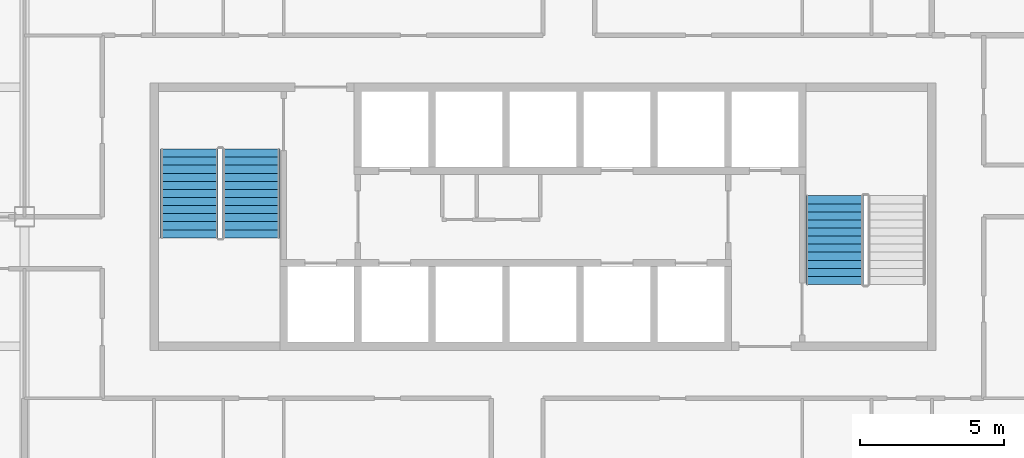
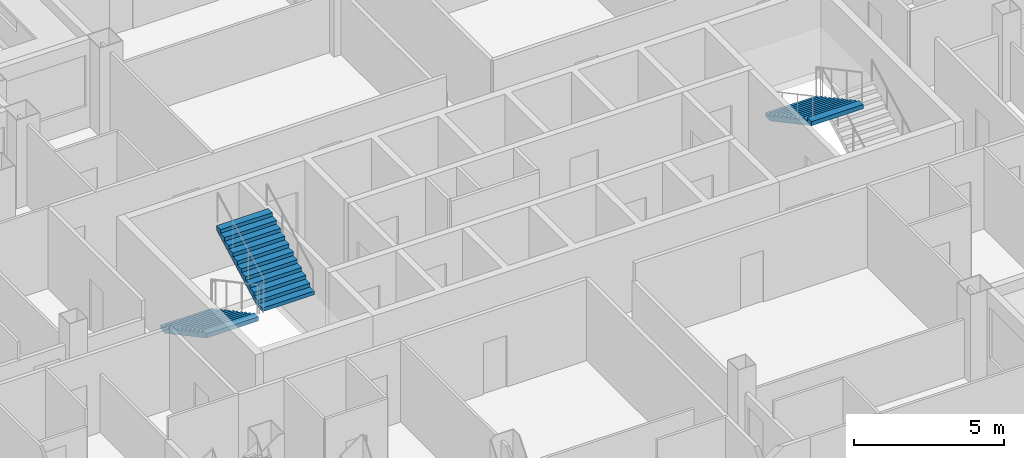
# One storey, part 10 of 14: 3 stair flights, 2 elements without a shape of their own.
"""IFC4 building model written with IfcOpenShell, lengths in metres."""

from ifc_helpers import new_model, si_unit, direction, frame, origin, place, context, subcontext, project, spatial, polygons, material, type_object, element, aggregate, save


model = new_model("IFC4")

# Units and contexts
model_context = context("Model", 3, precision=1e-05, world=origin(), true_north=direction((0.0, 1.0)))
body_context = subcontext(model_context, "Body", "Model", "MODEL_VIEW")
ifc_project = project(units=[si_unit("LENGTHUNIT", "METRE"), si_unit("AREAUNIT", "SQUARE_METRE"), si_unit("VOLUMEUNIT", "CUBIC_METRE"), si_unit("PLANEANGLEUNIT", "RADIAN"), si_unit("MASSUNIT", "GRAM", prefix="KILO")], contexts=[model_context])

# Site, building, storey
site_placement = place(None, origin())
site = spatial("IfcSite", under=ifc_project, at=site_placement, CompositionType="ELEMENT")
building_placement = place(site_placement, origin())
building = spatial("IfcBuilding", under=site, at=building_placement, Name="Caravel Reach Hotel and Residences", CompositionType="ELEMENT")
storey_placement = place(building_placement, frame((0.0, 0.0, 118.800048828125)))
storey = spatial("IfcBuildingStorey", under=building, at=storey_placement, Name="L29", CompositionType="ELEMENT", Elevation=118.800048828125)

# Stair, stair flights
ifc_material_1 = material(Name="Concrete C40", Category="concrete")
stair_type = type_object("IfcStairType", Name="Core stair", PredefinedType="HALF_TURN_STAIR", material=ifc_material_1)
stair_1_placement = place(storey_placement, origin())
stair_1 = element("IfcStair", 1, at=stair_1_placement, inside=storey, type_object=stair_type, Name="L29 Exit stair A", PredefinedType="HALF_TURN_STAIR")
ifc_material_2 = material(Name="Concrete C40", Category="concrete")
stair_flight_type = type_object("IfcStairFlightType", Name="Core stair flight", PredefinedType="STRAIGHT", material=ifc_material_2)
stair_flight_1_placement = place(storey_placement, frame((19.22509765625, 29.35009765625, 0.0), z_axis=(0.0, 0.0, 1.0), x_axis=(0.0, -1.0, 0.0)))
stair_flight_1 = element("IfcStairFlight", 2, at=stair_flight_1_placement, type_object=stair_flight_type, Name="ST-A flight 1", NumberOfRisers=12, NumberOfTreads=11, PredefinedType="STRAIGHT", RiserHeight=0.15, TreadLength=0.28, context=body_context, shape_type="Tessellation", body=[
    polygons([(0.3174408016601862, 1.0, 0.0), (0.3174408016601862, 0.6666666666666667, 0.0), (0.3174408016601862, 0.33333333333333337, 0.0), (0.3174408016601862, 0.0, 0.0), (0.3174408016601862, -0.33333333333333326, 0.0), (0.3174408016601862, -0.6666666666666667, 0.0), (0.3174408016601862, -1.0, 0.0), (3.081, 1.0, 1.479942427682043), (3.081, 0.6666666666666667, 1.479942427682043), (3.081, 0.33333333333333337, 1.479942427682043), (3.081, 0.0, 1.479942427682043), (3.081, -0.33333333333333326, 1.479942427682043), (3.081, -0.6666666666666667, 1.479942427682043), (3.081, -1.0, 1.479942427682043), (3.081, 1.0, 1.65), (3.081, 0.6666666666666667, 1.65), (3.081, 0.33333333333333337, 1.65), (3.081, 0.0, 1.65), (3.081, -0.33333333333333326, 1.65), (3.081, -0.6666666666666667, 1.65), (3.081, -1.0, 1.65), (2.8000000000000003, 1.0, 1.65), (2.8000000000000003, 0.6666666666666667, 1.65), (2.8000000000000003, 0.33333333333333337, 1.65), (2.8000000000000003, 0.0, 1.65), (2.8000000000000003, -0.33333333333333326, 1.65), (2.8000000000000003, -0.6666666666666667, 1.65), (2.8000000000000003, -1.0, 1.65), (2.8000000000000003, 1.0, 1.5), (2.8000000000000003, 0.6666666666666667, 1.5), (2.8000000000000003, 0.33333333333333337, 1.5), (2.8000000000000003, 0.0, 1.5), (2.8000000000000003, -0.33333333333333326, 1.5), (2.8000000000000003, -0.6666666666666667, 1.5), (2.8000000000000003, -1.0, 1.5), (2.5200000000000005, 1.0, 1.5), (2.5200000000000005, 0.6666666666666667, 1.5), (2.5200000000000005, 0.33333333333333337, 1.5), (2.5200000000000005, 0.0, 1.5), (2.5200000000000005, -0.33333333333333326, 1.5), (2.5200000000000005, -0.6666666666666667, 1.5), (2.5200000000000005, -1.0, 1.5), (2.5200000000000005, 1.0, 1.3499999999999999), (2.5200000000000005, 0.6666666666666667, 1.3499999999999999), (2.5200000000000005, 0.33333333333333337, 1.3499999999999999), (2.5200000000000005, 0.0, 1.3499999999999999), (2.5200000000000005, -0.33333333333333326, 1.3499999999999999), (2.5200000000000005, -0.6666666666666667, 1.3499999999999999), (2.5200000000000005, -1.0, 1.3499999999999999), (2.24, 1.0, 1.3499999999999999), (2.24, 0.6666666666666667, 1.3499999999999999), (2.24, 0.33333333333333337, 1.3499999999999999), (2.24, 0.0, 1.3499999999999999), (2.24, -0.33333333333333326, 1.3499999999999999), (2.24, -0.6666666666666667, 1.3499999999999999), (2.24, -1.0, 1.3499999999999999), (2.24, 1.0, 1.2), (2.24, 0.6666666666666667, 1.2), (2.24, 0.33333333333333337, 1.2), (2.24, 0.0, 1.2), (2.24, -0.33333333333333326, 1.2), (2.24, -0.6666666666666667, 1.2), (2.24, -1.0, 1.2), (1.9600000000000002, 1.0, 1.2), (1.9600000000000002, 0.6666666666666667, 1.2), (1.9600000000000002, 0.33333333333333337, 1.2), (1.9600000000000002, 0.0, 1.2), (1.9600000000000002, -0.33333333333333326, 1.2), (1.9600000000000002, -0.6666666666666667, 1.2), (1.9600000000000002, -1.0, 1.2), (1.9600000000000002, 1.0, 1.05), (1.9600000000000002, 0.6666666666666667, 1.05), (1.9600000000000002, 0.33333333333333337, 1.05), (1.9600000000000002, 0.0, 1.05), (1.9600000000000002, -0.33333333333333326, 1.05), (1.9600000000000002, -0.6666666666666667, 1.05), (1.9600000000000002, -1.0, 1.05), (1.6800000000000002, 1.0, 1.05), (1.6800000000000002, 0.6666666666666667, 1.05), (1.6800000000000002, 0.33333333333333337, 1.05), (1.6800000000000002, 0.0, 1.05), (1.6800000000000002, -0.33333333333333326, 1.05), (1.6800000000000002, -0.6666666666666667, 1.05), (1.6800000000000002, -1.0, 1.05), (1.6800000000000002, 1.0, 0.8999999999999999), (1.6800000000000002, 0.6666666666666667, 0.8999999999999999), (1.6800000000000002, 0.33333333333333337, 0.8999999999999999), (1.6800000000000002, 0.0, 0.8999999999999999), (1.6800000000000002, -0.33333333333333326, 0.8999999999999999), (1.6800000000000002, -0.6666666666666667, 0.8999999999999999), (1.6800000000000002, -1.0, 0.8999999999999999), (1.4000000000000001, 1.0, 0.8999999999999999), (1.4000000000000001, 0.6666666666666667, 0.8999999999999999), (1.4000000000000001, 0.33333333333333337, 0.8999999999999999), (1.4000000000000001, 0.0, 0.8999999999999999), (1.4000000000000001, -0.33333333333333326, 0.8999999999999999), (1.4000000000000001, -0.6666666666666667, 0.8999999999999999), (1.4000000000000001, -1.0, 0.8999999999999999), (1.4000000000000001, 1.0, 0.75), (1.4000000000000001, 0.6666666666666667, 0.75), (1.4000000000000001, 0.33333333333333337, 0.75), (1.4000000000000001, 0.0, 0.75), (1.4000000000000001, -0.33333333333333326, 0.75), (1.4000000000000001, -0.6666666666666667, 0.75), (1.4000000000000001, -1.0, 0.75), (1.12, 1.0, 0.75), (1.12, 0.6666666666666667, 0.75), (1.12, 0.33333333333333337, 0.75), (1.12, 0.0, 0.75), (1.12, -0.33333333333333326, 0.75), (1.12, -0.6666666666666667, 0.75), (1.12, -1.0, 0.75), (1.12, 1.0, 0.6), (1.12, 0.6666666666666667, 0.6), (1.12, 0.33333333333333337, 0.6), (1.12, 0.0, 0.6), (1.12, -0.33333333333333326, 0.6), (1.12, -0.6666666666666667, 0.6), (1.12, -1.0, 0.6), (0.8400000000000001, 1.0, 0.6), (0.8400000000000001, 0.6666666666666667, 0.6), (0.8400000000000001, 0.33333333333333337, 0.6), (0.8400000000000001, 0.0, 0.6), (0.8400000000000001, -0.33333333333333326, 0.6), (0.8400000000000001, -0.6666666666666667, 0.6), (0.8400000000000001, -1.0, 0.6), (0.8400000000000001, 1.0, 0.44999999999999996), (0.8400000000000001, 0.6666666666666667, 0.44999999999999996), (0.8400000000000001, 0.33333333333333337, 0.44999999999999996), (0.8400000000000001, 0.0, 0.44999999999999996), (0.8400000000000001, -0.33333333333333326, 0.44999999999999996), (0.8400000000000001, -0.6666666666666667, 0.44999999999999996), (0.8400000000000001, -1.0, 0.44999999999999996), (0.56, 1.0, 0.44999999999999996), (0.56, 0.6666666666666667, 0.44999999999999996), (0.56, 0.33333333333333337, 0.44999999999999996), (0.56, 0.0, 0.44999999999999996), (0.56, -0.33333333333333326, 0.44999999999999996), (0.56, -0.6666666666666667, 0.44999999999999996), (0.56, -1.0, 0.44999999999999996), (0.56, 1.0, 0.3), (0.56, 0.6666666666666667, 0.3), (0.56, 0.33333333333333337, 0.3), (0.56, 0.0, 0.3), (0.56, -0.33333333333333326, 0.3), (0.56, -0.6666666666666667, 0.3), (0.56, -1.0, 0.3), (0.28, 1.0, 0.3), (0.28, 0.6666666666666667, 0.3), (0.28, 0.33333333333333337, 0.3), (0.28, 0.0, 0.3), (0.28, -0.33333333333333326, 0.3), (0.28, -0.6666666666666667, 0.3), (0.28, -1.0, 0.3), (0.28, 1.0, 0.15), (0.28, 0.6666666666666667, 0.15), (0.28, 0.33333333333333337, 0.15), (0.28, 0.0, 0.15), (0.28, -0.33333333333333326, 0.15), (0.28, -0.6666666666666667, 0.15), (0.28, -1.0, 0.15), (-0.001, 1.0, 0.15), (-0.001, 0.6666666666666667, 0.15), (-0.001, 0.33333333333333337, 0.15), (-0.001, 0.0, 0.15), (-0.001, -0.33333333333333326, 0.15), (-0.001, -0.6666666666666667, 0.15), (-0.001, -1.0, 0.15), (-0.001, 1.0, 0.0), (-0.001, 0.6666666666666667, 0.0), (-0.001, 0.33333333333333337, 0.0), (-0.001, 0.0, 0.0), (-0.001, -0.33333333333333326, 0.0), (-0.001, -0.6666666666666667, 0.0), (-0.001, -1.0, 0.0)], [[[169, 162, 155, 148, 141, 134, 127, 120, 113, 106, 99, 92, 85, 78, 71, 64, 57, 50, 43, 36, 29, 22, 15, 8, 1]], [[7, 14, 21, 28, 35, 42, 49, 56, 63, 70, 77, 84, 91, 98, 105, 112, 119, 126, 133, 140, 147, 154, 161, 168, 175]], [[1, 8, 9, 2]], [[2, 9, 10, 3]], [[3, 10, 11, 4]], [[4, 11, 12, 5]], [[5, 12, 13, 6]], [[6, 13, 14, 7]], [[8, 15, 16, 9]], [[9, 16, 17, 10]], [[10, 17, 18, 11]], [[11, 18, 19, 12]], [[12, 19, 20, 13]], [[13, 20, 21, 14]], [[15, 22, 23, 16]], [[16, 23, 24, 17]], [[17, 24, 25, 18]], [[18, 25, 26, 19]], [[19, 26, 27, 20]], [[20, 27, 28, 21]], [[22, 29, 30, 23]], [[23, 30, 31, 24]], [[24, 31, 32, 25]], [[25, 32, 33, 26]], [[26, 33, 34, 27]], [[27, 34, 35, 28]], [[29, 36, 37, 30]], [[30, 37, 38, 31]], [[31, 38, 39, 32]], [[32, 39, 40, 33]], [[33, 40, 41, 34]], [[34, 41, 42, 35]], [[36, 43, 44, 37]], [[37, 44, 45, 38]], [[38, 45, 46, 39]], [[39, 46, 47, 40]], [[40, 47, 48, 41]], [[41, 48, 49, 42]], [[43, 50, 51, 44]], [[44, 51, 52, 45]], [[45, 52, 53, 46]], [[46, 53, 54, 47]], [[47, 54, 55, 48]], [[48, 55, 56, 49]], [[50, 57, 58, 51]], [[51, 58, 59, 52]], [[52, 59, 60, 53]], [[53, 60, 61, 54]], [[54, 61, 62, 55]], [[55, 62, 63, 56]], [[57, 64, 65, 58]], [[58, 65, 66, 59]], [[59, 66, 67, 60]], [[60, 67, 68, 61]], [[61, 68, 69, 62]], [[62, 69, 70, 63]], [[64, 71, 72, 65]], [[65, 72, 73, 66]], [[66, 73, 74, 67]], [[67, 74, 75, 68]], [[68, 75, 76, 69]], [[69, 76, 77, 70]], [[71, 78, 79, 72]], [[72, 79, 80, 73]], [[73, 80, 81, 74]], [[74, 81, 82, 75]], [[75, 82, 83, 76]], [[76, 83, 84, 77]], [[78, 85, 86, 79]], [[79, 86, 87, 80]], [[80, 87, 88, 81]], [[81, 88, 89, 82]], [[82, 89, 90, 83]], [[83, 90, 91, 84]], [[85, 92, 93, 86]], [[86, 93, 94, 87]], [[87, 94, 95, 88]], [[88, 95, 96, 89]], [[89, 96, 97, 90]], [[90, 97, 98, 91]], [[92, 99, 100, 93]], [[93, 100, 101, 94]], [[94, 101, 102, 95]], [[95, 102, 103, 96]], [[96, 103, 104, 97]], [[97, 104, 105, 98]], [[99, 106, 107, 100]], [[100, 107, 108, 101]], [[101, 108, 109, 102]], [[102, 109, 110, 103]], [[103, 110, 111, 104]], [[104, 111, 112, 105]], [[106, 113, 114, 107]], [[107, 114, 115, 108]], [[108, 115, 116, 109]], [[109, 116, 117, 110]], [[110, 117, 118, 111]], [[111, 118, 119, 112]], [[113, 120, 121, 114]], [[114, 121, 122, 115]], [[115, 122, 123, 116]], [[116, 123, 124, 117]], [[117, 124, 125, 118]], [[118, 125, 126, 119]], [[120, 127, 128, 121]], [[121, 128, 129, 122]], [[122, 129, 130, 123]], [[123, 130, 131, 124]], [[124, 131, 132, 125]], [[125, 132, 133, 126]], [[127, 134, 135, 128]], [[128, 135, 136, 129]], [[129, 136, 137, 130]], [[130, 137, 138, 131]], [[131, 138, 139, 132]], [[132, 139, 140, 133]], [[134, 141, 142, 135]], [[135, 142, 143, 136]], [[136, 143, 144, 137]], [[137, 144, 145, 138]], [[138, 145, 146, 139]], [[139, 146, 147, 140]], [[141, 148, 149, 142]], [[142, 149, 150, 143]], [[143, 150, 151, 144]], [[144, 151, 152, 145]], [[145, 152, 153, 146]], [[146, 153, 154, 147]], [[148, 155, 156, 149]], [[149, 156, 157, 150]], [[150, 157, 158, 151]], [[151, 158, 159, 152]], [[152, 159, 160, 153]], [[153, 160, 161, 154]], [[155, 162, 163, 156]], [[156, 163, 164, 157]], [[157, 164, 165, 158]], [[158, 165, 166, 159]], [[159, 166, 167, 160]], [[160, 167, 168, 161]], [[162, 169, 170, 163]], [[163, 170, 171, 164]], [[164, 171, 172, 165]], [[165, 172, 173, 166]], [[166, 173, 174, 167]], [[167, 174, 175, 168]], [[169, 1, 2, 170]], [[170, 2, 3, 171]], [[171, 3, 4, 172]], [[172, 4, 5, 173]], [[173, 5, 6, 174]], [[174, 6, 7, 175]]], closed=True),
])
stair_flight_2_placement = place(storey_placement, frame((21.375, 26.27001953125, 1.800048828125), z_axis=(0.0, 0.0, 1.0), x_axis=(0.0, 1.0, 0.0)))
stair_flight_2 = element("IfcStairFlight", 3, at=stair_flight_2_placement, type_object=stair_flight_type, Name="ST-A flight 2", NumberOfRisers=12, NumberOfTreads=11, PredefinedType="STRAIGHT", RiserHeight=0.15, TreadLength=0.28, context=body_context, shape_type="Tessellation", body=[
    polygons([(0.3174408016601862, 1.0, 0.0), (0.3174408016601862, 0.6666666666666667, 0.0), (0.3174408016601862, 0.33333333333333337, 0.0), (0.3174408016601862, 0.0, 0.0), (0.3174408016601862, -0.33333333333333326, 0.0), (0.3174408016601862, -0.6666666666666667, 0.0), (0.3174408016601862, -1.0, 0.0), (3.081, 1.0, 1.479942427682043), (3.081, 0.6666666666666667, 1.479942427682043), (3.081, 0.33333333333333337, 1.479942427682043), (3.081, 0.0, 1.479942427682043), (3.081, -0.33333333333333326, 1.479942427682043), (3.081, -0.6666666666666667, 1.479942427682043), (3.081, -1.0, 1.479942427682043), (3.081, 1.0, 1.65), (3.081, 0.6666666666666667, 1.65), (3.081, 0.33333333333333337, 1.65), (3.081, 0.0, 1.65), (3.081, -0.33333333333333326, 1.65), (3.081, -0.6666666666666667, 1.65), (3.081, -1.0, 1.65), (2.8000000000000003, 1.0, 1.65), (2.8000000000000003, 0.6666666666666667, 1.65), (2.8000000000000003, 0.33333333333333337, 1.65), (2.8000000000000003, 0.0, 1.65), (2.8000000000000003, -0.33333333333333326, 1.65), (2.8000000000000003, -0.6666666666666667, 1.65), (2.8000000000000003, -1.0, 1.65), (2.8000000000000003, 1.0, 1.5), (2.8000000000000003, 0.6666666666666667, 1.5), (2.8000000000000003, 0.33333333333333337, 1.5), (2.8000000000000003, 0.0, 1.5), (2.8000000000000003, -0.33333333333333326, 1.5), (2.8000000000000003, -0.6666666666666667, 1.5), (2.8000000000000003, -1.0, 1.5), (2.5200000000000005, 1.0, 1.5), (2.5200000000000005, 0.6666666666666667, 1.5), (2.5200000000000005, 0.33333333333333337, 1.5), (2.5200000000000005, 0.0, 1.5), (2.5200000000000005, -0.33333333333333326, 1.5), (2.5200000000000005, -0.6666666666666667, 1.5), (2.5200000000000005, -1.0, 1.5), (2.5200000000000005, 1.0, 1.3499999999999999), (2.5200000000000005, 0.6666666666666667, 1.3499999999999999), (2.5200000000000005, 0.33333333333333337, 1.3499999999999999), (2.5200000000000005, 0.0, 1.3499999999999999), (2.5200000000000005, -0.33333333333333326, 1.3499999999999999), (2.5200000000000005, -0.6666666666666667, 1.3499999999999999), (2.5200000000000005, -1.0, 1.3499999999999999), (2.24, 1.0, 1.3499999999999999), (2.24, 0.6666666666666667, 1.3499999999999999), (2.24, 0.33333333333333337, 1.3499999999999999), (2.24, 0.0, 1.3499999999999999), (2.24, -0.33333333333333326, 1.3499999999999999), (2.24, -0.6666666666666667, 1.3499999999999999), (2.24, -1.0, 1.3499999999999999), (2.24, 1.0, 1.2), (2.24, 0.6666666666666667, 1.2), (2.24, 0.33333333333333337, 1.2), (2.24, 0.0, 1.2), (2.24, -0.33333333333333326, 1.2), (2.24, -0.6666666666666667, 1.2), (2.24, -1.0, 1.2), (1.9600000000000002, 1.0, 1.2), (1.9600000000000002, 0.6666666666666667, 1.2), (1.9600000000000002, 0.33333333333333337, 1.2), (1.9600000000000002, 0.0, 1.2), (1.9600000000000002, -0.33333333333333326, 1.2), (1.9600000000000002, -0.6666666666666667, 1.2), (1.9600000000000002, -1.0, 1.2), (1.9600000000000002, 1.0, 1.05), (1.9600000000000002, 0.6666666666666667, 1.05), (1.9600000000000002, 0.33333333333333337, 1.05), (1.9600000000000002, 0.0, 1.05), (1.9600000000000002, -0.33333333333333326, 1.05), (1.9600000000000002, -0.6666666666666667, 1.05), (1.9600000000000002, -1.0, 1.05), (1.6800000000000002, 1.0, 1.05), (1.6800000000000002, 0.6666666666666667, 1.05), (1.6800000000000002, 0.33333333333333337, 1.05), (1.6800000000000002, 0.0, 1.05), (1.6800000000000002, -0.33333333333333326, 1.05), (1.6800000000000002, -0.6666666666666667, 1.05), (1.6800000000000002, -1.0, 1.05), (1.6800000000000002, 1.0, 0.8999999999999999), (1.6800000000000002, 0.6666666666666667, 0.8999999999999999), (1.6800000000000002, 0.33333333333333337, 0.8999999999999999), (1.6800000000000002, 0.0, 0.8999999999999999), (1.6800000000000002, -0.33333333333333326, 0.8999999999999999), (1.6800000000000002, -0.6666666666666667, 0.8999999999999999), (1.6800000000000002, -1.0, 0.8999999999999999), (1.4000000000000001, 1.0, 0.8999999999999999), (1.4000000000000001, 0.6666666666666667, 0.8999999999999999), (1.4000000000000001, 0.33333333333333337, 0.8999999999999999), (1.4000000000000001, 0.0, 0.8999999999999999), (1.4000000000000001, -0.33333333333333326, 0.8999999999999999), (1.4000000000000001, -0.6666666666666667, 0.8999999999999999), (1.4000000000000001, -1.0, 0.8999999999999999), (1.4000000000000001, 1.0, 0.75), (1.4000000000000001, 0.6666666666666667, 0.75), (1.4000000000000001, 0.33333333333333337, 0.75), (1.4000000000000001, 0.0, 0.75), (1.4000000000000001, -0.33333333333333326, 0.75), (1.4000000000000001, -0.6666666666666667, 0.75), (1.4000000000000001, -1.0, 0.75), (1.12, 1.0, 0.75), (1.12, 0.6666666666666667, 0.75), (1.12, 0.33333333333333337, 0.75), (1.12, 0.0, 0.75), (1.12, -0.33333333333333326, 0.75), (1.12, -0.6666666666666667, 0.75), (1.12, -1.0, 0.75), (1.12, 1.0, 0.6), (1.12, 0.6666666666666667, 0.6), (1.12, 0.33333333333333337, 0.6), (1.12, 0.0, 0.6), (1.12, -0.33333333333333326, 0.6), (1.12, -0.6666666666666667, 0.6), (1.12, -1.0, 0.6), (0.8400000000000001, 1.0, 0.6), (0.8400000000000001, 0.6666666666666667, 0.6), (0.8400000000000001, 0.33333333333333337, 0.6), (0.8400000000000001, 0.0, 0.6), (0.8400000000000001, -0.33333333333333326, 0.6), (0.8400000000000001, -0.6666666666666667, 0.6), (0.8400000000000001, -1.0, 0.6), (0.8400000000000001, 1.0, 0.44999999999999996), (0.8400000000000001, 0.6666666666666667, 0.44999999999999996), (0.8400000000000001, 0.33333333333333337, 0.44999999999999996), (0.8400000000000001, 0.0, 0.44999999999999996), (0.8400000000000001, -0.33333333333333326, 0.44999999999999996), (0.8400000000000001, -0.6666666666666667, 0.44999999999999996), (0.8400000000000001, -1.0, 0.44999999999999996), (0.56, 1.0, 0.44999999999999996), (0.56, 0.6666666666666667, 0.44999999999999996), (0.56, 0.33333333333333337, 0.44999999999999996), (0.56, 0.0, 0.44999999999999996), (0.56, -0.33333333333333326, 0.44999999999999996), (0.56, -0.6666666666666667, 0.44999999999999996), (0.56, -1.0, 0.44999999999999996), (0.56, 1.0, 0.3), (0.56, 0.6666666666666667, 0.3), (0.56, 0.33333333333333337, 0.3), (0.56, 0.0, 0.3), (0.56, -0.33333333333333326, 0.3), (0.56, -0.6666666666666667, 0.3), (0.56, -1.0, 0.3), (0.28, 1.0, 0.3), (0.28, 0.6666666666666667, 0.3), (0.28, 0.33333333333333337, 0.3), (0.28, 0.0, 0.3), (0.28, -0.33333333333333326, 0.3), (0.28, -0.6666666666666667, 0.3), (0.28, -1.0, 0.3), (0.28, 1.0, 0.15), (0.28, 0.6666666666666667, 0.15), (0.28, 0.33333333333333337, 0.15), (0.28, 0.0, 0.15), (0.28, -0.33333333333333326, 0.15), (0.28, -0.6666666666666667, 0.15), (0.28, -1.0, 0.15), (-0.001, 1.0, 0.15), (-0.001, 0.6666666666666667, 0.15), (-0.001, 0.33333333333333337, 0.15), (-0.001, 0.0, 0.15), (-0.001, -0.33333333333333326, 0.15), (-0.001, -0.6666666666666667, 0.15), (-0.001, -1.0, 0.15), (-0.001, 1.0, 0.0), (-0.001, 0.6666666666666667, 0.0), (-0.001, 0.33333333333333337, 0.0), (-0.001, 0.0, 0.0), (-0.001, -0.33333333333333326, 0.0), (-0.001, -0.6666666666666667, 0.0), (-0.001, -1.0, 0.0)], [[[169, 162, 155, 148, 141, 134, 127, 120, 113, 106, 99, 92, 85, 78, 71, 64, 57, 50, 43, 36, 29, 22, 15, 8, 1]], [[7, 14, 21, 28, 35, 42, 49, 56, 63, 70, 77, 84, 91, 98, 105, 112, 119, 126, 133, 140, 147, 154, 161, 168, 175]], [[1, 8, 9, 2]], [[2, 9, 10, 3]], [[3, 10, 11, 4]], [[4, 11, 12, 5]], [[5, 12, 13, 6]], [[6, 13, 14, 7]], [[8, 15, 16, 9]], [[9, 16, 17, 10]], [[10, 17, 18, 11]], [[11, 18, 19, 12]], [[12, 19, 20, 13]], [[13, 20, 21, 14]], [[15, 22, 23, 16]], [[16, 23, 24, 17]], [[17, 24, 25, 18]], [[18, 25, 26, 19]], [[19, 26, 27, 20]], [[20, 27, 28, 21]], [[22, 29, 30, 23]], [[23, 30, 31, 24]], [[24, 31, 32, 25]], [[25, 32, 33, 26]], [[26, 33, 34, 27]], [[27, 34, 35, 28]], [[29, 36, 37, 30]], [[30, 37, 38, 31]], [[31, 38, 39, 32]], [[32, 39, 40, 33]], [[33, 40, 41, 34]], [[34, 41, 42, 35]], [[36, 43, 44, 37]], [[37, 44, 45, 38]], [[38, 45, 46, 39]], [[39, 46, 47, 40]], [[40, 47, 48, 41]], [[41, 48, 49, 42]], [[43, 50, 51, 44]], [[44, 51, 52, 45]], [[45, 52, 53, 46]], [[46, 53, 54, 47]], [[47, 54, 55, 48]], [[48, 55, 56, 49]], [[50, 57, 58, 51]], [[51, 58, 59, 52]], [[52, 59, 60, 53]], [[53, 60, 61, 54]], [[54, 61, 62, 55]], [[55, 62, 63, 56]], [[57, 64, 65, 58]], [[58, 65, 66, 59]], [[59, 66, 67, 60]], [[60, 67, 68, 61]], [[61, 68, 69, 62]], [[62, 69, 70, 63]], [[64, 71, 72, 65]], [[65, 72, 73, 66]], [[66, 73, 74, 67]], [[67, 74, 75, 68]], [[68, 75, 76, 69]], [[69, 76, 77, 70]], [[71, 78, 79, 72]], [[72, 79, 80, 73]], [[73, 80, 81, 74]], [[74, 81, 82, 75]], [[75, 82, 83, 76]], [[76, 83, 84, 77]], [[78, 85, 86, 79]], [[79, 86, 87, 80]], [[80, 87, 88, 81]], [[81, 88, 89, 82]], [[82, 89, 90, 83]], [[83, 90, 91, 84]], [[85, 92, 93, 86]], [[86, 93, 94, 87]], [[87, 94, 95, 88]], [[88, 95, 96, 89]], [[89, 96, 97, 90]], [[90, 97, 98, 91]], [[92, 99, 100, 93]], [[93, 100, 101, 94]], [[94, 101, 102, 95]], [[95, 102, 103, 96]], [[96, 103, 104, 97]], [[97, 104, 105, 98]], [[99, 106, 107, 100]], [[100, 107, 108, 101]], [[101, 108, 109, 102]], [[102, 109, 110, 103]], [[103, 110, 111, 104]], [[104, 111, 112, 105]], [[106, 113, 114, 107]], [[107, 114, 115, 108]], [[108, 115, 116, 109]], [[109, 116, 117, 110]], [[110, 117, 118, 111]], [[111, 118, 119, 112]], [[113, 120, 121, 114]], [[114, 121, 122, 115]], [[115, 122, 123, 116]], [[116, 123, 124, 117]], [[117, 124, 125, 118]], [[118, 125, 126, 119]], [[120, 127, 128, 121]], [[121, 128, 129, 122]], [[122, 129, 130, 123]], [[123, 130, 131, 124]], [[124, 131, 132, 125]], [[125, 132, 133, 126]], [[127, 134, 135, 128]], [[128, 135, 136, 129]], [[129, 136, 137, 130]], [[130, 137, 138, 131]], [[131, 138, 139, 132]], [[132, 139, 140, 133]], [[134, 141, 142, 135]], [[135, 142, 143, 136]], [[136, 143, 144, 137]], [[137, 144, 145, 138]], [[138, 145, 146, 139]], [[139, 146, 147, 140]], [[141, 148, 149, 142]], [[142, 149, 150, 143]], [[143, 150, 151, 144]], [[144, 151, 152, 145]], [[145, 152, 153, 146]], [[146, 153, 154, 147]], [[148, 155, 156, 149]], [[149, 156, 157, 150]], [[150, 157, 158, 151]], [[151, 158, 159, 152]], [[152, 159, 160, 153]], [[153, 160, 161, 154]], [[155, 162, 163, 156]], [[156, 163, 164, 157]], [[157, 164, 165, 158]], [[158, 165, 166, 159]], [[159, 166, 167, 160]], [[160, 167, 168, 161]], [[162, 169, 170, 163]], [[163, 170, 171, 164]], [[164, 171, 172, 165]], [[165, 172, 173, 166]], [[166, 173, 174, 167]], [[167, 174, 175, 168]], [[169, 1, 2, 170]], [[170, 2, 3, 171]], [[171, 3, 4, 172]], [[172, 4, 5, 173]], [[173, 5, 6, 174]], [[174, 6, 7, 175]]], closed=True),
])
aggregate(stair_1, [stair_flight_1, stair_flight_2])

# Stair, stair flight
stair_2_placement = place(storey_placement, origin())
stair_2 = element("IfcStair", 4, at=stair_2_placement, inside=storey, type_object=stair_type, Name="L29 Exit stair B", PredefinedType="HALF_TURN_STAIR")
stair_flight_3_placement = place(storey_placement, frame((41.625, 27.72998046875, 1.800048828125), z_axis=(0.0, 0.0, 1.0), x_axis=(0.0, -1.0, 0.0)))
stair_flight_3 = element("IfcStairFlight", 5, at=stair_flight_3_placement, type_object=stair_flight_type, Name="ST-B flight 2", NumberOfRisers=12, NumberOfTreads=11, PredefinedType="STRAIGHT", RiserHeight=0.15, TreadLength=0.28, context=body_context, shape_type="Tessellation", body=[
    polygons([(0.3174408016601862, 1.0, 0.0), (0.3174408016601862, 0.6666666666666667, 0.0), (0.3174408016601862, 0.33333333333333337, 0.0), (0.3174408016601862, 0.0, 0.0), (0.3174408016601862, -0.33333333333333326, 0.0), (0.3174408016601862, -0.6666666666666667, 0.0), (0.3174408016601862, -1.0, 0.0), (3.081, 1.0, 1.479942427682043), (3.081, 0.6666666666666667, 1.479942427682043), (3.081, 0.33333333333333337, 1.479942427682043), (3.081, 0.0, 1.479942427682043), (3.081, -0.33333333333333326, 1.479942427682043), (3.081, -0.6666666666666667, 1.479942427682043), (3.081, -1.0, 1.479942427682043), (3.081, 1.0, 1.65), (3.081, 0.6666666666666667, 1.65), (3.081, 0.33333333333333337, 1.65), (3.081, 0.0, 1.65), (3.081, -0.33333333333333326, 1.65), (3.081, -0.6666666666666667, 1.65), (3.081, -1.0, 1.65), (2.8000000000000003, 1.0, 1.65), (2.8000000000000003, 0.6666666666666667, 1.65), (2.8000000000000003, 0.33333333333333337, 1.65), (2.8000000000000003, 0.0, 1.65), (2.8000000000000003, -0.33333333333333326, 1.65), (2.8000000000000003, -0.6666666666666667, 1.65), (2.8000000000000003, -1.0, 1.65), (2.8000000000000003, 1.0, 1.5), (2.8000000000000003, 0.6666666666666667, 1.5), (2.8000000000000003, 0.33333333333333337, 1.5), (2.8000000000000003, 0.0, 1.5), (2.8000000000000003, -0.33333333333333326, 1.5), (2.8000000000000003, -0.6666666666666667, 1.5), (2.8000000000000003, -1.0, 1.5), (2.5200000000000005, 1.0, 1.5), (2.5200000000000005, 0.6666666666666667, 1.5), (2.5200000000000005, 0.33333333333333337, 1.5), (2.5200000000000005, 0.0, 1.5), (2.5200000000000005, -0.33333333333333326, 1.5), (2.5200000000000005, -0.6666666666666667, 1.5), (2.5200000000000005, -1.0, 1.5), (2.5200000000000005, 1.0, 1.3499999999999999), (2.5200000000000005, 0.6666666666666667, 1.3499999999999999), (2.5200000000000005, 0.33333333333333337, 1.3499999999999999), (2.5200000000000005, 0.0, 1.3499999999999999), (2.5200000000000005, -0.33333333333333326, 1.3499999999999999), (2.5200000000000005, -0.6666666666666667, 1.3499999999999999), (2.5200000000000005, -1.0, 1.3499999999999999), (2.24, 1.0, 1.3499999999999999), (2.24, 0.6666666666666667, 1.3499999999999999), (2.24, 0.33333333333333337, 1.3499999999999999), (2.24, 0.0, 1.3499999999999999), (2.24, -0.33333333333333326, 1.3499999999999999), (2.24, -0.6666666666666667, 1.3499999999999999), (2.24, -1.0, 1.3499999999999999), (2.24, 1.0, 1.2), (2.24, 0.6666666666666667, 1.2), (2.24, 0.33333333333333337, 1.2), (2.24, 0.0, 1.2), (2.24, -0.33333333333333326, 1.2), (2.24, -0.6666666666666667, 1.2), (2.24, -1.0, 1.2), (1.9600000000000002, 1.0, 1.2), (1.9600000000000002, 0.6666666666666667, 1.2), (1.9600000000000002, 0.33333333333333337, 1.2), (1.9600000000000002, 0.0, 1.2), (1.9600000000000002, -0.33333333333333326, 1.2), (1.9600000000000002, -0.6666666666666667, 1.2), (1.9600000000000002, -1.0, 1.2), (1.9600000000000002, 1.0, 1.05), (1.9600000000000002, 0.6666666666666667, 1.05), (1.9600000000000002, 0.33333333333333337, 1.05), (1.9600000000000002, 0.0, 1.05), (1.9600000000000002, -0.33333333333333326, 1.05), (1.9600000000000002, -0.6666666666666667, 1.05), (1.9600000000000002, -1.0, 1.05), (1.6800000000000002, 1.0, 1.05), (1.6800000000000002, 0.6666666666666667, 1.05), (1.6800000000000002, 0.33333333333333337, 1.05), (1.6800000000000002, 0.0, 1.05), (1.6800000000000002, -0.33333333333333326, 1.05), (1.6800000000000002, -0.6666666666666667, 1.05), (1.6800000000000002, -1.0, 1.05), (1.6800000000000002, 1.0, 0.8999999999999999), (1.6800000000000002, 0.6666666666666667, 0.8999999999999999), (1.6800000000000002, 0.33333333333333337, 0.8999999999999999), (1.6800000000000002, 0.0, 0.8999999999999999), (1.6800000000000002, -0.33333333333333326, 0.8999999999999999), (1.6800000000000002, -0.6666666666666667, 0.8999999999999999), (1.6800000000000002, -1.0, 0.8999999999999999), (1.4000000000000001, 1.0, 0.8999999999999999), (1.4000000000000001, 0.6666666666666667, 0.8999999999999999), (1.4000000000000001, 0.33333333333333337, 0.8999999999999999), (1.4000000000000001, 0.0, 0.8999999999999999), (1.4000000000000001, -0.33333333333333326, 0.8999999999999999), (1.4000000000000001, -0.6666666666666667, 0.8999999999999999), (1.4000000000000001, -1.0, 0.8999999999999999), (1.4000000000000001, 1.0, 0.75), (1.4000000000000001, 0.6666666666666667, 0.75), (1.4000000000000001, 0.33333333333333337, 0.75), (1.4000000000000001, 0.0, 0.75), (1.4000000000000001, -0.33333333333333326, 0.75), (1.4000000000000001, -0.6666666666666667, 0.75), (1.4000000000000001, -1.0, 0.75), (1.12, 1.0, 0.75), (1.12, 0.6666666666666667, 0.75), (1.12, 0.33333333333333337, 0.75), (1.12, 0.0, 0.75), (1.12, -0.33333333333333326, 0.75), (1.12, -0.6666666666666667, 0.75), (1.12, -1.0, 0.75), (1.12, 1.0, 0.6), (1.12, 0.6666666666666667, 0.6), (1.12, 0.33333333333333337, 0.6), (1.12, 0.0, 0.6), (1.12, -0.33333333333333326, 0.6), (1.12, -0.6666666666666667, 0.6), (1.12, -1.0, 0.6), (0.8400000000000001, 1.0, 0.6), (0.8400000000000001, 0.6666666666666667, 0.6), (0.8400000000000001, 0.33333333333333337, 0.6), (0.8400000000000001, 0.0, 0.6), (0.8400000000000001, -0.33333333333333326, 0.6), (0.8400000000000001, -0.6666666666666667, 0.6), (0.8400000000000001, -1.0, 0.6), (0.8400000000000001, 1.0, 0.44999999999999996), (0.8400000000000001, 0.6666666666666667, 0.44999999999999996), (0.8400000000000001, 0.33333333333333337, 0.44999999999999996), (0.8400000000000001, 0.0, 0.44999999999999996), (0.8400000000000001, -0.33333333333333326, 0.44999999999999996), (0.8400000000000001, -0.6666666666666667, 0.44999999999999996), (0.8400000000000001, -1.0, 0.44999999999999996), (0.56, 1.0, 0.44999999999999996), (0.56, 0.6666666666666667, 0.44999999999999996), (0.56, 0.33333333333333337, 0.44999999999999996), (0.56, 0.0, 0.44999999999999996), (0.56, -0.33333333333333326, 0.44999999999999996), (0.56, -0.6666666666666667, 0.44999999999999996), (0.56, -1.0, 0.44999999999999996), (0.56, 1.0, 0.3), (0.56, 0.6666666666666667, 0.3), (0.56, 0.33333333333333337, 0.3), (0.56, 0.0, 0.3), (0.56, -0.33333333333333326, 0.3), (0.56, -0.6666666666666667, 0.3), (0.56, -1.0, 0.3), (0.28, 1.0, 0.3), (0.28, 0.6666666666666667, 0.3), (0.28, 0.33333333333333337, 0.3), (0.28, 0.0, 0.3), (0.28, -0.33333333333333326, 0.3), (0.28, -0.6666666666666667, 0.3), (0.28, -1.0, 0.3), (0.28, 1.0, 0.15), (0.28, 0.6666666666666667, 0.15), (0.28, 0.33333333333333337, 0.15), (0.28, 0.0, 0.15), (0.28, -0.33333333333333326, 0.15), (0.28, -0.6666666666666667, 0.15), (0.28, -1.0, 0.15), (-0.001, 1.0, 0.15), (-0.001, 0.6666666666666667, 0.15), (-0.001, 0.33333333333333337, 0.15), (-0.001, 0.0, 0.15), (-0.001, -0.33333333333333326, 0.15), (-0.001, -0.6666666666666667, 0.15), (-0.001, -1.0, 0.15), (-0.001, 1.0, 0.0), (-0.001, 0.6666666666666667, 0.0), (-0.001, 0.33333333333333337, 0.0), (-0.001, 0.0, 0.0), (-0.001, -0.33333333333333326, 0.0), (-0.001, -0.6666666666666667, 0.0), (-0.001, -1.0, 0.0)], [[[169, 162, 155, 148, 141, 134, 127, 120, 113, 106, 99, 92, 85, 78, 71, 64, 57, 50, 43, 36, 29, 22, 15, 8, 1]], [[7, 14, 21, 28, 35, 42, 49, 56, 63, 70, 77, 84, 91, 98, 105, 112, 119, 126, 133, 140, 147, 154, 161, 168, 175]], [[1, 8, 9, 2]], [[2, 9, 10, 3]], [[3, 10, 11, 4]], [[4, 11, 12, 5]], [[5, 12, 13, 6]], [[6, 13, 14, 7]], [[8, 15, 16, 9]], [[9, 16, 17, 10]], [[10, 17, 18, 11]], [[11, 18, 19, 12]], [[12, 19, 20, 13]], [[13, 20, 21, 14]], [[15, 22, 23, 16]], [[16, 23, 24, 17]], [[17, 24, 25, 18]], [[18, 25, 26, 19]], [[19, 26, 27, 20]], [[20, 27, 28, 21]], [[22, 29, 30, 23]], [[23, 30, 31, 24]], [[24, 31, 32, 25]], [[25, 32, 33, 26]], [[26, 33, 34, 27]], [[27, 34, 35, 28]], [[29, 36, 37, 30]], [[30, 37, 38, 31]], [[31, 38, 39, 32]], [[32, 39, 40, 33]], [[33, 40, 41, 34]], [[34, 41, 42, 35]], [[36, 43, 44, 37]], [[37, 44, 45, 38]], [[38, 45, 46, 39]], [[39, 46, 47, 40]], [[40, 47, 48, 41]], [[41, 48, 49, 42]], [[43, 50, 51, 44]], [[44, 51, 52, 45]], [[45, 52, 53, 46]], [[46, 53, 54, 47]], [[47, 54, 55, 48]], [[48, 55, 56, 49]], [[50, 57, 58, 51]], [[51, 58, 59, 52]], [[52, 59, 60, 53]], [[53, 60, 61, 54]], [[54, 61, 62, 55]], [[55, 62, 63, 56]], [[57, 64, 65, 58]], [[58, 65, 66, 59]], [[59, 66, 67, 60]], [[60, 67, 68, 61]], [[61, 68, 69, 62]], [[62, 69, 70, 63]], [[64, 71, 72, 65]], [[65, 72, 73, 66]], [[66, 73, 74, 67]], [[67, 74, 75, 68]], [[68, 75, 76, 69]], [[69, 76, 77, 70]], [[71, 78, 79, 72]], [[72, 79, 80, 73]], [[73, 80, 81, 74]], [[74, 81, 82, 75]], [[75, 82, 83, 76]], [[76, 83, 84, 77]], [[78, 85, 86, 79]], [[79, 86, 87, 80]], [[80, 87, 88, 81]], [[81, 88, 89, 82]], [[82, 89, 90, 83]], [[83, 90, 91, 84]], [[85, 92, 93, 86]], [[86, 93, 94, 87]], [[87, 94, 95, 88]], [[88, 95, 96, 89]], [[89, 96, 97, 90]], [[90, 97, 98, 91]], [[92, 99, 100, 93]], [[93, 100, 101, 94]], [[94, 101, 102, 95]], [[95, 102, 103, 96]], [[96, 103, 104, 97]], [[97, 104, 105, 98]], [[99, 106, 107, 100]], [[100, 107, 108, 101]], [[101, 108, 109, 102]], [[102, 109, 110, 103]], [[103, 110, 111, 104]], [[104, 111, 112, 105]], [[106, 113, 114, 107]], [[107, 114, 115, 108]], [[108, 115, 116, 109]], [[109, 116, 117, 110]], [[110, 117, 118, 111]], [[111, 118, 119, 112]], [[113, 120, 121, 114]], [[114, 121, 122, 115]], [[115, 122, 123, 116]], [[116, 123, 124, 117]], [[117, 124, 125, 118]], [[118, 125, 126, 119]], [[120, 127, 128, 121]], [[121, 128, 129, 122]], [[122, 129, 130, 123]], [[123, 130, 131, 124]], [[124, 131, 132, 125]], [[125, 132, 133, 126]], [[127, 134, 135, 128]], [[128, 135, 136, 129]], [[129, 136, 137, 130]], [[130, 137, 138, 131]], [[131, 138, 139, 132]], [[132, 139, 140, 133]], [[134, 141, 142, 135]], [[135, 142, 143, 136]], [[136, 143, 144, 137]], [[137, 144, 145, 138]], [[138, 145, 146, 139]], [[139, 146, 147, 140]], [[141, 148, 149, 142]], [[142, 149, 150, 143]], [[143, 150, 151, 144]], [[144, 151, 152, 145]], [[145, 152, 153, 146]], [[146, 153, 154, 147]], [[148, 155, 156, 149]], [[149, 156, 157, 150]], [[150, 157, 158, 151]], [[151, 158, 159, 152]], [[152, 159, 160, 153]], [[153, 160, 161, 154]], [[155, 162, 163, 156]], [[156, 163, 164, 157]], [[157, 164, 165, 158]], [[158, 165, 166, 159]], [[159, 166, 167, 160]], [[160, 167, 168, 161]], [[162, 169, 170, 163]], [[163, 170, 171, 164]], [[164, 171, 172, 165]], [[165, 172, 173, 166]], [[166, 173, 174, 167]], [[167, 174, 175, 168]], [[169, 1, 2, 170]], [[170, 2, 3, 171]], [[171, 3, 4, 172]], [[172, 4, 5, 173]], [[173, 5, 6, 174]], [[174, 6, 7, 175]]], closed=True),
])
aggregate(stair_2, [stair_flight_3])

save(model, "model.ifc")
